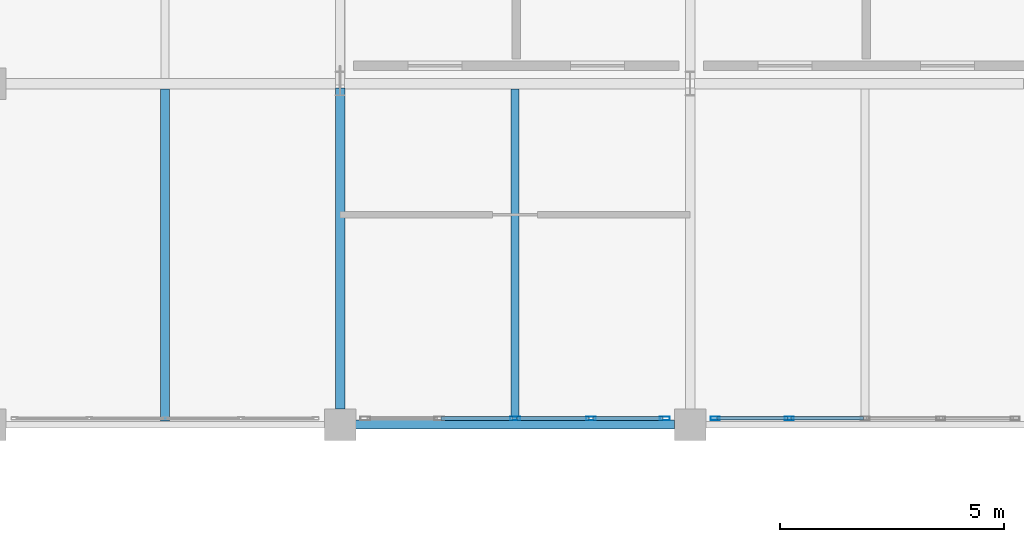
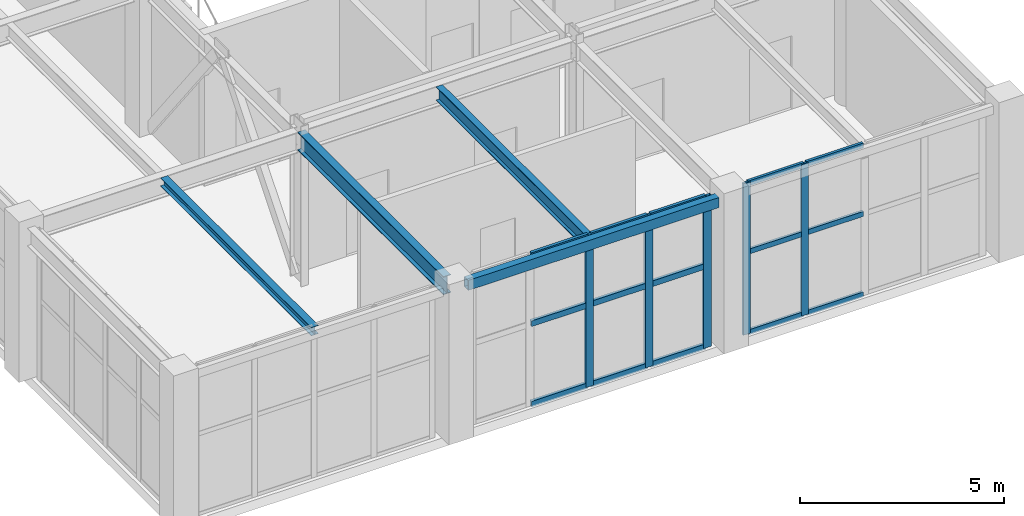
# One storey, part 42 of 72: 20 members, 4 beams, 2 elements without a shape of their own.
"""IFC4 building model written with IfcOpenShell, lengths in metres."""

from ifc_helpers import new_model, si_unit, direction, frame, origin, origin_2d, place, context, subcontext, project, spatial, hollow_rectangle, i_section, extrude, material, layer, layer_set, material_profile, profile_set, type_object, element, aggregate, save


model = new_model("IFC4")

# Units and contexts
model_context = context("Model", 3, precision=1e-05, world=origin(), true_north=direction((0.0, 1.0)))
body_context = subcontext(model_context, "Body", "Model", "MODEL_VIEW")
ifc_project = project(units=[si_unit("LENGTHUNIT", "METRE"), si_unit("AREAUNIT", "SQUARE_METRE"), si_unit("VOLUMEUNIT", "CUBIC_METRE"), si_unit("PLANEANGLEUNIT", "RADIAN"), si_unit("MASSUNIT", "GRAM", prefix="KILO")], contexts=[model_context])

# Site, building, storey
site_placement = place(None, origin())
site = spatial("IfcSite", under=ifc_project, at=site_placement, CompositionType="ELEMENT")
building_placement = place(site_placement, origin())
building = spatial("IfcBuilding", under=site, at=building_placement, Name="Xicomal Pleat Aquarium", CompositionType="ELEMENT")
storey_placement = place(building_placement, frame((0.0, 0.0, 10.5)))
storey = spatial("IfcBuildingStorey", under=building, at=storey_placement, Name="L03", CompositionType="ELEMENT", Elevation=10.5)

# Beams
ifc_material_1 = material(Name="Structural steel A992 Gr 50", Category="steel")
ifc_material_profile_1 = material_profile(ifc_material_1, i_section(OverallWidth=0.201904296875, OverallDepth=0.2470703125, WebThickness=0.00732421875, FlangeThickness=0.010986328125, at=origin_2d()), Name="IR 250x49")
ifc_profile_set_1 = profile_set([ifc_material_profile_1], Name="Structural steel A992 Gr 50")
beam_type_1 = type_object("IfcBeamType", Name="BM-STL-IR250", PredefinedType="JOIST", material=ifc_profile_set_1)
beam_1_placement = place(storey_placement, frame((137.699951171875, 76.077880859375, 4.41650390625), z_axis=(0.0, 1.0, 0.0), x_axis=(-1.0, 0.0, 0.0)))
element("IfcBeam", 1, at=beam_1_placement, inside=storey, type_object=beam_type_1, Name="L03 framing beam FBJ-L03-17-L-1", PredefinedType="JOIST", context=body_context, shape_type="SweptSolid", body=[
    extrude(i_section(OverallWidth=0.201904296875, OverallDepth=0.2470703125, WebThickness=0.00732421875, FlangeThickness=0.010986328125, at=origin_2d()), origin(), (0.0, 0.0, 1.0), 7.404052734375),
])
ifc_material_2 = material(Name="Structural steel A992 Gr 50", Category="steel")
ifc_material_profile_2 = material_profile(ifc_material_2, i_section(OverallWidth=0.180908203125, OverallDepth=0.4169921875, WebThickness=0.010986328125, FlangeThickness=0.018310546875, at=origin_2d()), Name="IR 410x85")
ifc_profile_set_2 = profile_set([ifc_material_profile_2], Name="Structural steel A992 Gr 50")
beam_type_2 = type_object("IfcBeamType", Name="BM-STL-IR410", PredefinedType="JOIST", material=ifc_profile_set_2)
beam_2_placement = place(storey_placement, frame((145.5, 76.10302734375, 4.33154296875), z_axis=(0.0, 1.0, 0.0), x_axis=(-1.0, 0.0, 0.0)))
element("IfcBeam", 2, at=beam_2_placement, inside=storey, type_object=beam_type_2, Name="L03 framing beam FBJ-L03-18-L-1", PredefinedType="JOIST", context=body_context, shape_type="SweptSolid", body=[
    extrude(i_section(OverallWidth=0.180908203125, OverallDepth=0.4169921875, WebThickness=0.010986328125, FlangeThickness=0.018310546875, at=origin_2d()), origin(), (0.0, 0.0, 1.0), 7.37890625),
])
ifc_material_3 = material(Name="Structural steel A992 Gr 50", Category="steel")
ifc_material_profile_3 = material_profile(ifc_material_3, i_section(OverallWidth=0.2119140625, OverallDepth=0.5439453125, WebThickness=0.01318359375, FlangeThickness=0.021240234375, at=origin_2d()), Name="IR 530x123")
ifc_profile_set_3 = profile_set([ifc_material_profile_3], Name="Structural steel A992 Gr 50")
beam_type_3 = type_object("IfcBeamType", Name="BM-STL-IR530", PredefinedType="BEAM", material=ifc_profile_set_3)
beam_3_placement = place(storey_placement, frame((141.60009765625, 76.344970703125, 4.26806640625), z_axis=(0.0, 1.0, 0.0), x_axis=(-1.0, 0.0, 0.0)))
element("IfcBeam", 3, at=beam_3_placement, inside=storey, type_object=beam_type_3, Name="L03 framing beam FGY-L03-18-L-M", PredefinedType="BEAM", context=body_context, shape_type="SweptSolid", body=[
    extrude(i_section(OverallWidth=0.2119140625, OverallDepth=0.5439453125, WebThickness=0.01318359375, FlangeThickness=0.021240234375, at=origin_2d()), origin(), (0.0, 0.0, 1.0), 7.154052734375),
])
ifc_material_4 = material(Name="Structural steel A500 Gr C", Category="steel")
ifc_material_profile_4 = material_profile(ifc_material_4, hollow_rectangle(XDim=0.199951171875, YDim=0.300048828125, WallThickness=0.011962890625, at=origin_2d()), Name="OR 300x200x12")
ifc_profile_set_4 = profile_set([ifc_material_profile_4], Name="Structural steel A500 Gr C")
beam_type_4 = type_object("IfcBeamType", Name="BM-STL-OR300", PredefinedType="SPANDREL", material=ifc_profile_set_4)
beam_4_placement = place(storey_placement, frame((141.945068359375, 76.0, 4.389892578125), z_axis=(1.0, 0.0, 0.0), x_axis=(0.0, 1.0, 0.0)))
element("IfcBeam", 4, at=beam_4_placement, inside=storey, type_object=beam_type_4, Name="L03 framing beam FGX-L03-18-19-L", PredefinedType="SPANDREL", context=body_context, shape_type="SweptSolid", body=[
    extrude(hollow_rectangle(XDim=0.199951171875, YDim=0.300048828125, WallThickness=0.011962890625, at=origin_2d()), origin(), (0.0, 0.0, 1.0), 7.10986328125),
])

# Curtain wall, members
ifc_material_5 = material(Name="Bronze anodized aluminium 6063-T6", Category="aluminium")
ifc_layer_1 = layer(ifc_material_5, 0.159912109375)
ifc_layer_set_1 = layer_set([ifc_layer_1], Name="Bronze anodized aluminium 6063-T6")
curtain_wall_type_1 = type_object("IfcCurtainWallType", Name="CW-SYS-08", PredefinedType="NOTDEFINED", material=ifc_layer_set_1)
curtain_wall_1_placement = place(storey_placement, origin())
curtain_wall_1 = element("IfcCurtainWall", 5, at=curtain_wall_1_placement, inside=storey, type_object=curtain_wall_type_1, Name="L03 unitised curtain wall CW-L03-151", PredefinedType="NOTDEFINED")
ifc_material_6 = material(Name="Bronze anodized aluminium 6063-T6", Category="aluminium")
ifc_material_profile_5 = material_profile(ifc_material_6, hollow_rectangle(XDim=0.074951171875, YDim=0.199951171875, WallThickness=0.00439453125, at=origin_2d()), Name="ALU MULL 75x200")
ifc_profile_set_5 = profile_set([ifc_material_profile_5], Name="Bronze anodized aluminium 6063-T6")
member_type_1 = type_object("IfcMemberType", Name="CWM-75x200", PredefinedType="MULLION", material=ifc_profile_set_5)
member_1_placement = place(storey_placement, frame((151.610107421875, 76.139892578125, 0.0), z_axis=(0.0, 0.0, 1.0), x_axis=(0.0, -1.0, 0.0)))
member_1 = element("IfcMember", 6, at=member_1_placement, type_object=member_type_1, Name="CW-08 mullion 4", PredefinedType="MULLION", context=body_context, shape_type="SweptSolid", body=[
    extrude(hollow_rectangle(XDim=0.074951171875, YDim=0.199951171875, WallThickness=0.00439453125, at=origin_2d()), origin(), (0.0, 0.0, 1.0), 4.5400390625),
])
member_2_placement = place(storey_placement, frame((149.95751953125, 76.139892578125, 0.0), z_axis=(0.0, 0.0, 1.0), x_axis=(0.0, -1.0, 0.0)))
member_2 = element("IfcMember", 7, at=member_2_placement, type_object=member_type_1, Name="CW-08 mullion 5", PredefinedType="MULLION", context=body_context, shape_type="SweptSolid", body=[
    extrude(hollow_rectangle(XDim=0.074951171875, YDim=0.199951171875, WallThickness=0.00439453125, at=origin_2d()), origin(), (0.0, 0.0, 1.0), 4.5400390625),
])

ifc_material_7 = material(Name="Bronze anodized aluminium 6063-T6", Category="aluminium")
ifc_layer_2 = layer(ifc_material_7, 0.159912109375)
ifc_layer_set_2 = layer_set([ifc_layer_2], Name="Bronze anodized aluminium 6063-T6")
curtain_wall_type_2 = type_object("IfcCurtainWallType", Name="CW-SYS-03", PredefinedType="NOTDEFINED", material=ifc_layer_set_2)
curtain_wall_2_placement = place(storey_placement, origin())
curtain_wall_2 = element("IfcCurtainWall", 8, at=curtain_wall_2_placement, inside=storey, type_object=curtain_wall_type_2, Name="L03 unitised curtain wall CW-L03-152", PredefinedType="NOTDEFINED")
ifc_material_8 = material(Name="Bronze anodized aluminium 6063-T6", Category="aluminium")
ifc_material_profile_6 = material_profile(ifc_material_8, hollow_rectangle(XDim=0.0849609375, YDim=0.219970703125, WallThickness=0.0048828125, at=origin_2d()), Name="ALU MULL 85x220")
ifc_profile_set_6 = profile_set([ifc_material_profile_6], Name="Bronze anodized aluminium 6063-T6")
member_type_2 = type_object("IfcMemberType", Name="CWM-85x220", PredefinedType="MULLION", material=ifc_profile_set_6)
member_3_placement = place(storey_placement, frame((148.83740234375, 76.139892578125, 0.0), z_axis=(0.0, 0.0, 1.0), x_axis=(0.0, -1.0, 0.0)))
member_3 = element("IfcMember", 9, at=member_3_placement, type_object=member_type_2, Name="CW-03 mullion 1", PredefinedType="MULLION", context=body_context, shape_type="SweptSolid", body=[
    extrude(hollow_rectangle(XDim=0.0849609375, YDim=0.219970703125, WallThickness=0.0048828125, at=origin_2d()), origin(), (0.0, 0.0, 1.0), 4.5400390625),
])
member_4_placement = place(storey_placement, frame((147.18994140625, 76.139892578125, 0.0), z_axis=(0.0, 0.0, 1.0), x_axis=(0.0, -1.0, 0.0)))
member_4 = element("IfcMember", 10, at=member_4_placement, type_object=member_type_2, Name="CW-03 mullion 2", PredefinedType="MULLION", context=body_context, shape_type="SweptSolid", body=[
    extrude(hollow_rectangle(XDim=0.0849609375, YDim=0.219970703125, WallThickness=0.0048828125, at=origin_2d()), origin(), (0.0, 0.0, 1.0), 4.5400390625),
])
member_5_placement = place(storey_placement, frame((145.5, 76.139892578125, 0.0), z_axis=(0.0, 0.0, 1.0), x_axis=(0.0, -1.0, 0.0)))
member_5 = element("IfcMember", 11, at=member_5_placement, type_object=member_type_2, Name="CW-03 mullion 3", PredefinedType="MULLION", context=body_context, shape_type="SweptSolid", body=[
    extrude(hollow_rectangle(XDim=0.0849609375, YDim=0.219970703125, WallThickness=0.0048828125, at=origin_2d()), origin(), (0.0, 0.0, 1.0), 4.5400390625),
])

# Member
ifc_material_9 = material(Name="Bronze anodized aluminium 6063-T6", Category="aluminium")
ifc_material_profile_7 = material_profile(ifc_material_9, hollow_rectangle(XDim=0.074951171875, YDim=0.14990234375, WallThickness=0.00439453125, at=origin_2d()), Name="ALU TRAN 75x150")
ifc_profile_set_7 = profile_set([ifc_material_profile_7], Name="Bronze anodized aluminium 6063-T6")
member_type_3 = type_object("IfcMemberType", Name="CWT-75x150", PredefinedType="USERDEFINED", material=ifc_profile_set_7)
member_6_placement = place(storey_placement, frame((153.262451171875, 76.139892578125, 0.03759765625), z_axis=(-1.0, 0.0, 0.0), x_axis=(0.0, -1.0, 0.0)))
member_6 = element("IfcMember", 12, at=member_6_placement, type_object=member_type_3, Name="CW-08 transom 3.1", ObjectType="TRANSOM", PredefinedType="USERDEFINED", context=body_context, shape_type="SweptSolid", body=[
    extrude(hollow_rectangle(XDim=0.074951171875, YDim=0.14990234375, WallThickness=0.00439453125, at=origin_2d()), origin(), (0.0, 0.0, 1.0), 1.614990234375),
])

member_7_placement = place(storey_placement, frame((153.262451171875, 76.139892578125, 2.451904296875), z_axis=(-1.0, 0.0, 0.0), x_axis=(0.0, -1.0, 0.0)))
member_7 = element("IfcMember", 13, at=member_7_placement, type_object=member_type_3, Name="CW-08 transom 3.2", ObjectType="TRANSOM", PredefinedType="USERDEFINED", context=body_context, shape_type="SweptSolid", body=[
    extrude(hollow_rectangle(XDim=0.074951171875, YDim=0.14990234375, WallThickness=0.00439453125, at=origin_2d()), origin(), (0.0, 0.0, 1.0), 1.614990234375),
])

member_8_placement = place(storey_placement, frame((153.262451171875, 76.139892578125, 4.50244140625), z_axis=(-1.0, 0.0, 0.0), x_axis=(0.0, -1.0, 0.0)))
member_8 = element("IfcMember", 14, at=member_8_placement, type_object=member_type_3, Name="CW-08 transom 3.3", ObjectType="TRANSOM", PredefinedType="USERDEFINED", context=body_context, shape_type="SweptSolid", body=[
    extrude(hollow_rectangle(XDim=0.074951171875, YDim=0.14990234375, WallThickness=0.00439453125, at=origin_2d()), origin(), (0.0, 0.0, 1.0), 1.614990234375),
])

member_9_placement = place(storey_placement, frame((151.572509765625, 76.139892578125, 0.03759765625), z_axis=(-1.0, 0.0, 0.0), x_axis=(0.0, -1.0, 0.0)))
member_9 = element("IfcMember", 15, at=member_9_placement, type_object=member_type_3, Name="CW-08 transom 4.1", ObjectType="TRANSOM", PredefinedType="USERDEFINED", context=body_context, shape_type="SweptSolid", body=[
    extrude(hollow_rectangle(XDim=0.074951171875, YDim=0.14990234375, WallThickness=0.00439453125, at=origin_2d()), origin(), (0.0, 0.0, 1.0), 1.577392578125),
])

member_10_placement = place(storey_placement, frame((151.572509765625, 76.139892578125, 2.451904296875), z_axis=(-1.0, 0.0, 0.0), x_axis=(0.0, -1.0, 0.0)))
member_10 = element("IfcMember", 16, at=member_10_placement, type_object=member_type_3, Name="CW-08 transom 4.2", ObjectType="TRANSOM", PredefinedType="USERDEFINED", context=body_context, shape_type="SweptSolid", body=[
    extrude(hollow_rectangle(XDim=0.074951171875, YDim=0.14990234375, WallThickness=0.00439453125, at=origin_2d()), origin(), (0.0, 0.0, 1.0), 1.577392578125),
])

member_11_placement = place(storey_placement, frame((151.572509765625, 76.139892578125, 4.50244140625), z_axis=(-1.0, 0.0, 0.0), x_axis=(0.0, -1.0, 0.0)))
member_11 = element("IfcMember", 17, at=member_11_placement, type_object=member_type_3, Name="CW-08 transom 4.3", ObjectType="TRANSOM", PredefinedType="USERDEFINED", context=body_context, shape_type="SweptSolid", body=[
    extrude(hollow_rectangle(XDim=0.074951171875, YDim=0.14990234375, WallThickness=0.00439453125, at=origin_2d()), origin(), (0.0, 0.0, 1.0), 1.577392578125),
])

aggregate(curtain_wall_1, [member_1, member_2, member_6, member_7, member_8, member_9, member_10, member_11])

ifc_material_10 = material(Name="Bronze anodized aluminium 6063-T6", Category="aluminium")
ifc_material_profile_8 = material_profile(ifc_material_10, hollow_rectangle(XDim=0.0849609375, YDim=0.169921875, WallThickness=0.0048828125, at=origin_2d()), Name="ALU TRAN 85x170")
ifc_profile_set_8 = profile_set([ifc_material_profile_8], Name="Bronze anodized aluminium 6063-T6")
member_type_4 = type_object("IfcMemberType", Name="CWT-85x170", PredefinedType="USERDEFINED", material=ifc_profile_set_8)
member_12_placement = place(storey_placement, frame((148.794921875, 76.139892578125, 0.04248046875), z_axis=(-1.0, 0.0, 0.0), x_axis=(0.0, -1.0, 0.0)))
member_12 = element("IfcMember", 18, at=member_12_placement, type_object=member_type_4, Name="CW-03 transom 1.1", ObjectType="TRANSOM", PredefinedType="USERDEFINED", context=body_context, shape_type="SweptSolid", body=[
    extrude(hollow_rectangle(XDim=0.0849609375, YDim=0.169921875, WallThickness=0.0048828125, at=origin_2d()), origin(), (0.0, 0.0, 1.0), 1.5625),
])

member_13_placement = place(storey_placement, frame((148.794921875, 76.139892578125, 2.451904296875), z_axis=(-1.0, 0.0, 0.0), x_axis=(0.0, -1.0, 0.0)))
member_13 = element("IfcMember", 19, at=member_13_placement, type_object=member_type_4, Name="CW-03 transom 1.2", ObjectType="TRANSOM", PredefinedType="USERDEFINED", context=body_context, shape_type="SweptSolid", body=[
    extrude(hollow_rectangle(XDim=0.0849609375, YDim=0.169921875, WallThickness=0.0048828125, at=origin_2d()), origin(), (0.0, 0.0, 1.0), 1.5625),
])

member_14_placement = place(storey_placement, frame((148.794921875, 76.139892578125, 4.49755859375), z_axis=(-1.0, 0.0, 0.0), x_axis=(0.0, -1.0, 0.0)))
member_14 = element("IfcMember", 20, at=member_14_placement, type_object=member_type_4, Name="CW-03 transom 1.3", ObjectType="TRANSOM", PredefinedType="USERDEFINED", context=body_context, shape_type="SweptSolid", body=[
    extrude(hollow_rectangle(XDim=0.0849609375, YDim=0.169921875, WallThickness=0.0048828125, at=origin_2d()), origin(), (0.0, 0.0, 1.0), 1.5625),
])

member_15_placement = place(storey_placement, frame((147.1474609375, 76.139892578125, 0.04248046875), z_axis=(-1.0, 0.0, 0.0), x_axis=(0.0, -1.0, 0.0)))
member_15 = element("IfcMember", 21, at=member_15_placement, type_object=member_type_4, Name="CW-03 transom 2.1", ObjectType="TRANSOM", PredefinedType="USERDEFINED", context=body_context, shape_type="SweptSolid", body=[
    extrude(hollow_rectangle(XDim=0.0849609375, YDim=0.169921875, WallThickness=0.0048828125, at=origin_2d()), origin(), (0.0, 0.0, 1.0), 1.60498046875),
])

member_16_placement = place(storey_placement, frame((147.1474609375, 76.139892578125, 2.451904296875), z_axis=(-1.0, 0.0, 0.0), x_axis=(0.0, -1.0, 0.0)))
member_16 = element("IfcMember", 22, at=member_16_placement, type_object=member_type_4, Name="CW-03 transom 2.2", ObjectType="TRANSOM", PredefinedType="USERDEFINED", context=body_context, shape_type="SweptSolid", body=[
    extrude(hollow_rectangle(XDim=0.0849609375, YDim=0.169921875, WallThickness=0.0048828125, at=origin_2d()), origin(), (0.0, 0.0, 1.0), 1.60498046875),
])

member_17_placement = place(storey_placement, frame((147.1474609375, 76.139892578125, 4.49755859375), z_axis=(-1.0, 0.0, 0.0), x_axis=(0.0, -1.0, 0.0)))
member_17 = element("IfcMember", 23, at=member_17_placement, type_object=member_type_4, Name="CW-03 transom 2.3", ObjectType="TRANSOM", PredefinedType="USERDEFINED", context=body_context, shape_type="SweptSolid", body=[
    extrude(hollow_rectangle(XDim=0.0849609375, YDim=0.169921875, WallThickness=0.0048828125, at=origin_2d()), origin(), (0.0, 0.0, 1.0), 1.60498046875),
])

member_18_placement = place(storey_placement, frame((145.45751953125, 76.139892578125, 0.04248046875), z_axis=(-1.0, 0.0, 0.0), x_axis=(0.0, -1.0, 0.0)))
member_18 = element("IfcMember", 24, at=member_18_placement, type_object=member_type_4, Name="CW-03 transom 3.1", ObjectType="TRANSOM", PredefinedType="USERDEFINED", context=body_context, shape_type="SweptSolid", body=[
    extrude(hollow_rectangle(XDim=0.0849609375, YDim=0.169921875, WallThickness=0.0048828125, at=origin_2d()), origin(), (0.0, 0.0, 1.0), 1.60498046875),
])

member_19_placement = place(storey_placement, frame((145.45751953125, 76.139892578125, 2.451904296875), z_axis=(-1.0, 0.0, 0.0), x_axis=(0.0, -1.0, 0.0)))
member_19 = element("IfcMember", 25, at=member_19_placement, type_object=member_type_4, Name="CW-03 transom 3.2", ObjectType="TRANSOM", PredefinedType="USERDEFINED", context=body_context, shape_type="SweptSolid", body=[
    extrude(hollow_rectangle(XDim=0.0849609375, YDim=0.169921875, WallThickness=0.0048828125, at=origin_2d()), origin(), (0.0, 0.0, 1.0), 1.60498046875),
])

member_20_placement = place(storey_placement, frame((145.45751953125, 76.139892578125, 4.49755859375), z_axis=(-1.0, 0.0, 0.0), x_axis=(0.0, -1.0, 0.0)))
member_20 = element("IfcMember", 26, at=member_20_placement, type_object=member_type_4, Name="CW-03 transom 3.3", ObjectType="TRANSOM", PredefinedType="USERDEFINED", context=body_context, shape_type="SweptSolid", body=[
    extrude(hollow_rectangle(XDim=0.0849609375, YDim=0.169921875, WallThickness=0.0048828125, at=origin_2d()), origin(), (0.0, 0.0, 1.0), 1.60498046875),
])

aggregate(curtain_wall_2, [member_3, member_4, member_5, member_12, member_13, member_14, member_15, member_16, member_17, member_18, member_19, member_20])

save(model, "model.ifc")
